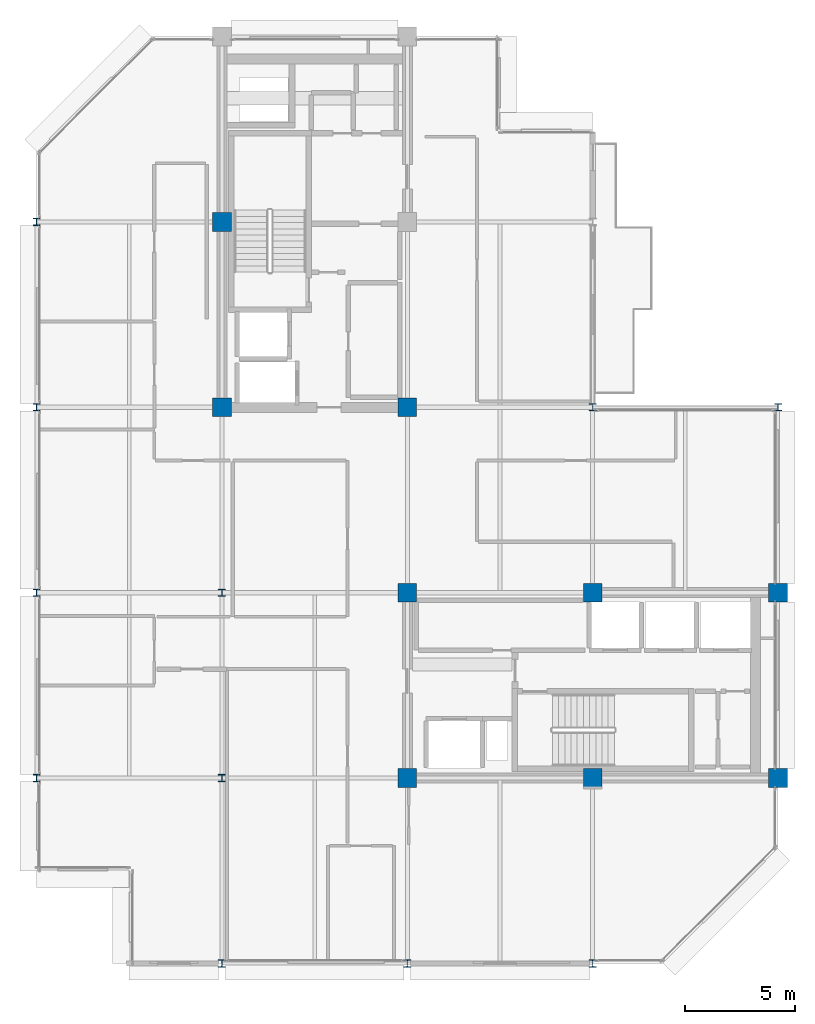
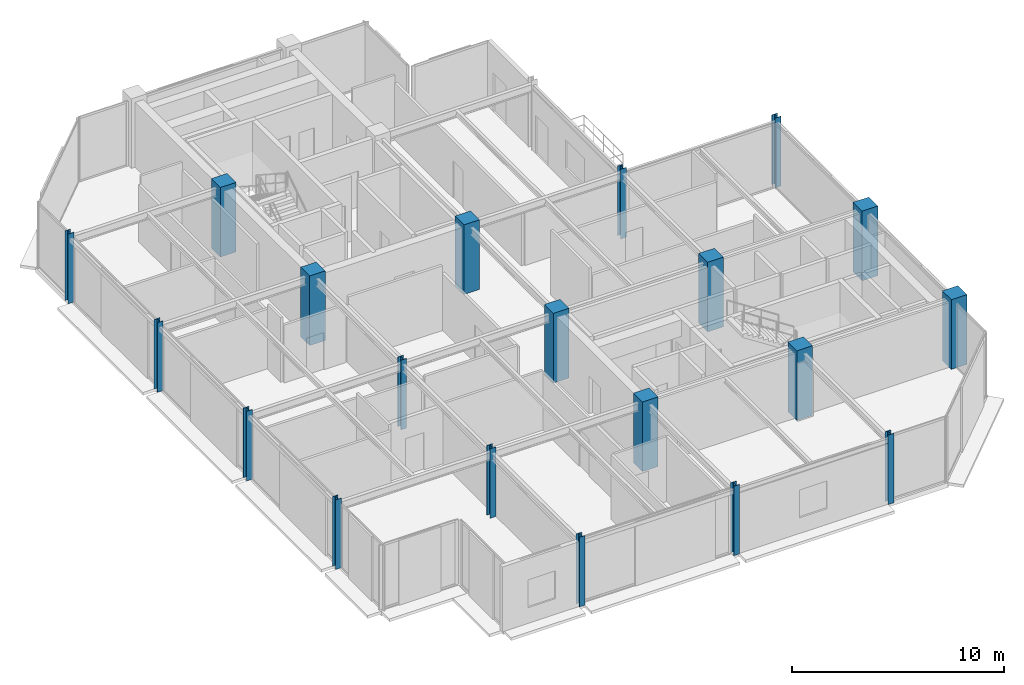
# One storey, part 1 of 25: 20 columns.
"""IFC4 building model written with IfcOpenShell, lengths in metres."""

import ifcopenshell
import ifcopenshell.guid

model = None  # the IFC model being written
_history = None  # IfcOwnerHistory: only IFC2X3 demands one
_inside = {}  # id of a spatial element -> (the spatial element, [elements in it])
_under = {}  # id of a project, library or spatial element -> (it, [spatial elements below it])
_declared = {}  # id of a project -> (the project, [libraries it declares])
_typed = {}  # id of a type object -> (the type object, [elements of that type])
_made_of = {}  # id of a material, layer set ... -> (it, [elements and type objects made of it])


def new_model(schema):
    """Start an empty IFC model of exactly this schema.

    Asked for "IFC4X3", IfcOpenShell would pick the latest addendum, in which some entities
    have other attributes; the version numbers below select the first issue.
    IFC2X3 requires an IfcOwnerHistory on every rooted entity: one is made here for all.
    """
    global model, _history
    if schema == "IFC4X3":
        model = ifcopenshell.file(schema_version=(4, 3, 0, 0))
    else:
        model = ifcopenshell.file(schema=schema)
    _inside.clear()
    _under.clear()
    _declared.clear()
    _typed.clear()
    _made_of.clear()
    _history = None
    if model.schema == "IFC2X3":
        org = make("IfcOrganization", Name="unknown")
        user = make(
            "IfcPersonAndOrganization",
            ThePerson=make("IfcPerson", FamilyName="unknown"),
            TheOrganization=org,
        )
        app = make(
            "IfcApplication",
            ApplicationDeveloper=org,
            Version="unknown",
            ApplicationFullName="unknown",
            ApplicationIdentifier="unknown",
        )
        _history = make(
            "IfcOwnerHistory",
            OwningUser=user,
            OwningApplication=app,
            ChangeAction="ADDED",
            CreationDate=0,
        )
    return model


def make(cls, **values):
    """One entity of the class cls with the attributes given. An attribute that is None is left unset."""
    return model.create_entity(
        cls, **{name: value for name, value in values.items() if value is not None}
    )


def rooted(cls, **values):
    """An entity with a GlobalId (a new one), such as an element, a storey or a relation."""
    return make(cls, GlobalId=ifcopenshell.guid.new(), OwnerHistory=_history, **values)


def si_unit(unit_type, name, prefix=None):
    """IfcSIUnit, for example si_unit("LENGTHUNIT", "METRE", prefix="MILLI")."""
    return make("IfcSIUnit", UnitType=unit_type, Prefix=prefix, Name=name)


def assignment(units):
    """IfcUnitAssignment: the units of a project."""
    return None if units is None else make("IfcUnitAssignment", Units=units)


def point(xyz):
    """IfcCartesianPoint."""
    return None if xyz is None else make("IfcCartesianPoint", Coordinates=xyz)


def direction(xyz):
    """IfcDirection."""
    return None if xyz is None else make("IfcDirection", DirectionRatios=xyz)


def frame(location, z_axis=None, x_axis=None):
    """IfcAxis2Placement3D, a coordinate frame: its origin and axes. An axis left out is left unset."""
    return make(
        "IfcAxis2Placement3D",
        Location=point(location),
        Axis=direction(z_axis),
        RefDirection=direction(x_axis),
    )


def frame_2d(location, x_axis=None):
    """IfcAxis2Placement2D, a coordinate frame in the plane: its origin and x axis."""
    return make(
        "IfcAxis2Placement2D", Location=point(location), RefDirection=direction(x_axis)
    )


def origin():
    """The frame at (0, 0, 0) with its axes left unset."""
    return frame((0.0, 0.0, 0.0))


def origin_2d():
    """The frame at (0, 0) in the plane with its x axis left unset."""
    return frame_2d((0.0, 0.0))


def place(relative_to, where):
    """IfcLocalPlacement: puts the frame where relative to a parent placement (None: the world)."""
    return make(
        "IfcLocalPlacement", PlacementRelTo=relative_to, RelativePlacement=where
    )


def context(
    kind, dimensions, precision=None, world=None, true_north=None, identifier=None
):
    """IfcGeometricRepresentationContext, for example the 3D "Model" context."""
    return make(
        "IfcGeometricRepresentationContext",
        ContextIdentifier=identifier,
        ContextType=kind,
        CoordinateSpaceDimension=dimensions,
        Precision=precision,
        WorldCoordinateSystem=world,
        TrueNorth=true_north,
    )


def subcontext(parent, identifier, kind, view, scale=None):
    """IfcGeometricRepresentationSubContext, for example "Body" below "Model"."""
    return make(
        "IfcGeometricRepresentationSubContext",
        ContextIdentifier=identifier,
        ContextType=kind,
        ParentContext=parent,
        TargetScale=scale,
        TargetView=view,
    )


def project(units=None, contexts=None):
    """IfcProject with its units and contexts."""
    return rooted(
        "IfcProject",
        Name="project",
        RepresentationContexts=contexts,
        UnitsInContext=assignment(units),
    )


def spatial(cls, under=None, at=None, **own):
    """A site, building, storey or space (cls), placed at a placement, below another one or the project."""
    s = rooted(cls, ObjectPlacement=at, **own)
    if under is not None:
        _under.setdefault(under.id(), (under, []))[1].append(s)
    return s


def profile(cls, at=None, kind="AREA", **sizes):
    """A parametric profile (cls). Its sizes go by their IFC names, for example OverallWidth=200.0."""
    return make(cls, ProfileType=kind, Position=at, **sizes)


def rectangle(**sizes):
    """IfcRectangleProfileDef."""
    return profile("IfcRectangleProfileDef", **sizes)


def i_section(**sizes):
    """IfcIShapeProfileDef."""
    return profile("IfcIShapeProfileDef", **sizes)


def extrude(swept, where, along, depth):
    """IfcExtrudedAreaSolid: the profile swept, set in the frame where, extruded along a direction by depth."""
    return make(
        "IfcExtrudedAreaSolid",
        SweptArea=swept,
        Position=where,
        ExtrudedDirection=direction(along),
        Depth=depth,
    )


def shape(context_of_items, identifier, shape_type, items):
    """IfcShapeRepresentation: the items that make up one representation, for example the "Body"."""
    return make(
        "IfcShapeRepresentation",
        ContextOfItems=context_of_items,
        RepresentationIdentifier=identifier,
        RepresentationType=shape_type,
        Items=items,
    )


def material(Name=None, Category=None):
    """IfcMaterial."""
    return make("IfcMaterial", Name=Name, Category=Category)


def material_profile(
    of_material, cross_section, Name=None, Category=None, Priority=None
):
    """IfcMaterialProfile: a cross section and its material."""
    return make(
        "IfcMaterialProfile",
        Name=Name,
        Material=of_material,
        Profile=cross_section,
        Priority=Priority,
        Category=Category,
    )


def profile_set(profiles, Name=None, composite=None):
    """IfcMaterialProfileSet."""
    return make(
        "IfcMaterialProfileSet",
        Name=Name,
        MaterialProfiles=profiles,
        CompositeProfile=composite,
    )


def made_of(thing, what):
    """Note that an element or type object is made of a material, layer set ...; save() writes the relation."""
    if what is not None:
        _made_of.setdefault(what.id(), (what, []))[1].append(thing)
    return thing


def type_object(cls, material=None, **own):
    """A type object (cls), such as IfcWallType, which elements share."""
    return made_of(rooted(cls, **own), material)


def element(
    cls,
    number,
    at=None,
    inside=None,
    cuts=None,
    type_object=None,
    material=None,
    context=None,
    identifier="Body",
    shape_type=None,
    held_by="IfcProductDefinitionShape",
    body=None,
    shapes=None,
    **own,
):
    """One element of the class cls, such as IfcWall. Its Tag is "e" and its number.

    at: its placement. inside: the storey or other place that contains it. cuts: it is an
    opening in that element (IfcRelVoidsElement). A single representation is given by context,
    identifier, shape_type and body (its items); several are given by shapes. held_by: the class
    of the entity that holds the representations. save() writes the other relations.
    """
    e = rooted(cls, Tag="e%d" % number, ObjectPlacement=at, **own)
    if body is not None:
        shapes = [shape(context, identifier, shape_type, body)]
    if shapes is not None:
        e.Representation = make(held_by, Representations=shapes)
    if inside is not None:
        _inside.setdefault(inside.id(), (inside, []))[1].append(e)
    if cuts is not None:
        rooted(
            "IfcRelVoidsElement", RelatingBuildingElement=cuts, RelatedOpeningElement=e
        )
    if type_object is not None:
        _typed.setdefault(type_object.id(), (type_object, []))[1].append(e)
    return made_of(e, material)


def aggregate(whole, parts):
    """IfcRelAggregates: a whole, such as a stair, and the parts it consists of."""
    return rooted("IfcRelAggregates", RelatingObject=whole, RelatedObjects=parts)


def save(model, path):
    """Write the relations noted so far, then the file.

    IfcRelAggregates (storeys below a building ...), IfcRelContainedInSpatialStructure (elements
    in a storey), IfcRelDefinesByType, IfcRelAssociatesMaterial and IfcRelDeclares: one each for
    every whole, place, type object, material and project.
    """
    for whole, parts in _under.values():
        aggregate(whole, parts)
    for where, things in _inside.values():
        rooted(
            "IfcRelContainedInSpatialStructure",
            RelatedElements=things,
            RelatingStructure=where,
        )
    for kind, things in _typed.values():
        rooted("IfcRelDefinesByType", RelatedObjects=things, RelatingType=kind)
    for what, things in _made_of.values():
        rooted("IfcRelAssociatesMaterial", RelatedObjects=things, RelatingMaterial=what)
    for by, libraries in _declared.values():
        rooted("IfcRelDeclares", RelatingContext=by, RelatedDefinitions=libraries)
    model.write(path)


model = new_model("IFC4")

# Units and contexts
model_context = context("Model", 3, precision=1e-05, world=origin(), true_north=direction((0.0, 1.0)))
body_context = subcontext(model_context, "Body", "Model", "MODEL_VIEW")
ifc_project = project(units=[si_unit("LENGTHUNIT", "METRE"), si_unit("AREAUNIT", "SQUARE_METRE"), si_unit("VOLUMEUNIT", "CUBIC_METRE"), si_unit("PLANEANGLEUNIT", "RADIAN"), si_unit("MASSUNIT", "GRAM", prefix="KILO")], contexts=[model_context])

# Site, building, storey
site_placement = place(None, origin())
site = spatial("IfcSite", under=ifc_project, at=site_placement, CompositionType="ELEMENT")
building_placement = place(site_placement, origin())
building = spatial("IfcBuilding", under=site, at=building_placement, Name="Nerrivon Quay Data Exchange", CompositionType="ELEMENT")
storey_placement = place(building_placement, frame((0.0, 0.0, 302.199951171875)))
storey = spatial("IfcBuildingStorey", under=building, at=storey_placement, Name="L72", CompositionType="ELEMENT", Elevation=302.199951171875)

# Columns
ifc_material_1 = material(Name="Concrete N50 (50 MPa)", Category="concrete")
ifc_material_profile_1 = material_profile(ifc_material_1, rectangle(XDim=0.85009765625, YDim=0.85009765625, at=origin_2d()), Name="RC-COL-850x850")
ifc_profile_set_1 = profile_set([ifc_material_profile_1], Name="Concrete N50 (50 MPa)")
column_type_1 = type_object("IfcColumnType", Name="COL-C5-850", PredefinedType="COLUMN", material=ifc_profile_set_1)
for number, where, z_axis, x_axis, name in (
    (1, (8.39990234375, 25.199951171875, 0.0), (0.0, 0.0, 1.0), (1.0, 0.0, 0.0), "L72 Column (8.4,25.2)"),
    (2, (8.39990234375, 33.60009765625, 0.0), (0.0, 0.0, 1.0), (1.0, 0.0, 0.0), "L72 Column (8.4,33.6)"),
    (3, (16.800048828125, 8.39990234375, 0.0), (0.0, 0.0, 1.0), (1.0, 0.0, 0.0), "L72 Column (16.8,8.4)"),
    (4, (16.800048828125, 16.800048828125, 0.0), (0.0, 0.0, 1.0), (1.0, 0.0, 0.0), "L72 Column (16.8,16.8)"),
    (5, (16.800048828125, 25.199951171875, 0.0), (0.0, 0.0, 1.0), (1.0, 0.0, 0.0), "L72 Column (16.8,25.2)"),
    (6, (25.199951171875, 8.39990234375, 0.0), (0.0, 0.0, 1.0), (1.0, 0.0, 0.0), "L72 Column (25.2,8.4)"),
    (7, (25.199951171875, 16.800048828125, 0.0), (0.0, 0.0, 1.0), (1.0, 0.0, 0.0), "L72 Column (25.2,16.8)"),
    (8, (33.60009765625, 8.39990234375, 0.0), (0.0, 0.0, 1.0), (1.0, 0.0, 0.0), "L72 Column (33.6,8.4)"),
    (9, (33.60009765625, 16.800048828125, 0.0), (0.0, 0.0, 1.0), (1.0, 0.0, 0.0), "L72 Column (33.6,16.8)"),
):
    element("IfcColumn", number, at=place(storey_placement, frame(where, z_axis=z_axis, x_axis=x_axis)), inside=storey, type_object=column_type_1, Name=name, PredefinedType="COLUMN", context=body_context, shape_type="SweptSolid", body=[
        extrude(rectangle(XDim=0.85009765625, YDim=0.85009765625, at=origin_2d()), origin(), (0.0, 0.0, 1.0), 4.0),
    ])
ifc_material_2 = material(Name="Steel Grade 350", Category="steel")
ifc_material_profile_2 = material_profile(ifc_material_2, i_section(OverallWidth=0.31103515625, OverallDepth=0.326904296875, WebThickness=0.015625, FlangeThickness=0.02490234375, FilletRadius=0.0166015625, at=origin_2d()), Name="310UC158")
ifc_profile_set_2 = profile_set([ifc_material_profile_2], Name="Steel Grade 350")
column_type_2 = type_object("IfcColumnType", Name="COL-SC4-310UC158", PredefinedType="COLUMN", material=ifc_profile_set_2)
for number, where, z_axis, x_axis, name in (
    (10, (0.0, 8.39990234375, 0.0), (0.0, 0.0, 1.0), (1.0, 0.0, 0.0), "L72 Column (0.0,8.4)"),
    (11, (0.0, 16.800048828125, 0.0), (0.0, 0.0, 1.0), (1.0, 0.0, 0.0), "L72 Column (0.0,16.8)"),
    (12, (0.0, 25.199951171875, 0.0), (0.0, 0.0, 1.0), (1.0, 0.0, 0.0), "L72 Column (0.0,25.2)"),
    (13, (0.0, 33.60009765625, 0.0), (0.0, 0.0, 1.0), (1.0, 0.0, 0.0), "L72 Column (0.0,33.6)"),
    (14, (8.39990234375, 0.0, 0.0), (0.0, 0.0, 1.0), (1.0, 0.0, 0.0), "L72 Column (8.4,0.0)"),
    (15, (8.39990234375, 8.39990234375, 0.0), (0.0, 0.0, 1.0), (1.0, 0.0, 0.0), "L72 Column (8.4,8.4)"),
    (16, (8.39990234375, 16.800048828125, 0.0), (0.0, 0.0, 1.0), (1.0, 0.0, 0.0), "L72 Column (8.4,16.8)"),
    (17, (16.800048828125, 0.0, 0.0), (0.0, 0.0, 1.0), (1.0, 0.0, 0.0), "L72 Column (16.8,0.0)"),
    (18, (25.199951171875, 0.0, 0.0), (0.0, 0.0, 1.0), (1.0, 0.0, 0.0), "L72 Column (25.2,0.0)"),
    (19, (25.199951171875, 25.199951171875, 0.0), (0.0, 0.0, 1.0), (1.0, 0.0, 0.0), "L72 Column (25.2,25.2)"),
    (20, (33.60009765625, 25.199951171875, 0.0), (0.0, 0.0, 1.0), (1.0, 0.0, 0.0), "L72 Column (33.6,25.2)"),
):
    element("IfcColumn", number, at=place(storey_placement, frame(where, z_axis=z_axis, x_axis=x_axis)), inside=storey, type_object=column_type_2, Name=name, PredefinedType="COLUMN", context=body_context, shape_type="SweptSolid", body=[
        extrude(i_section(OverallWidth=0.31103515625, OverallDepth=0.326904296875, WebThickness=0.015625, FlangeThickness=0.02490234375, FilletRadius=0.0166015625, at=origin_2d()), origin(), (0.0, 0.0, 1.0), 4.0),
    ])

save(model, "model.ifc")
